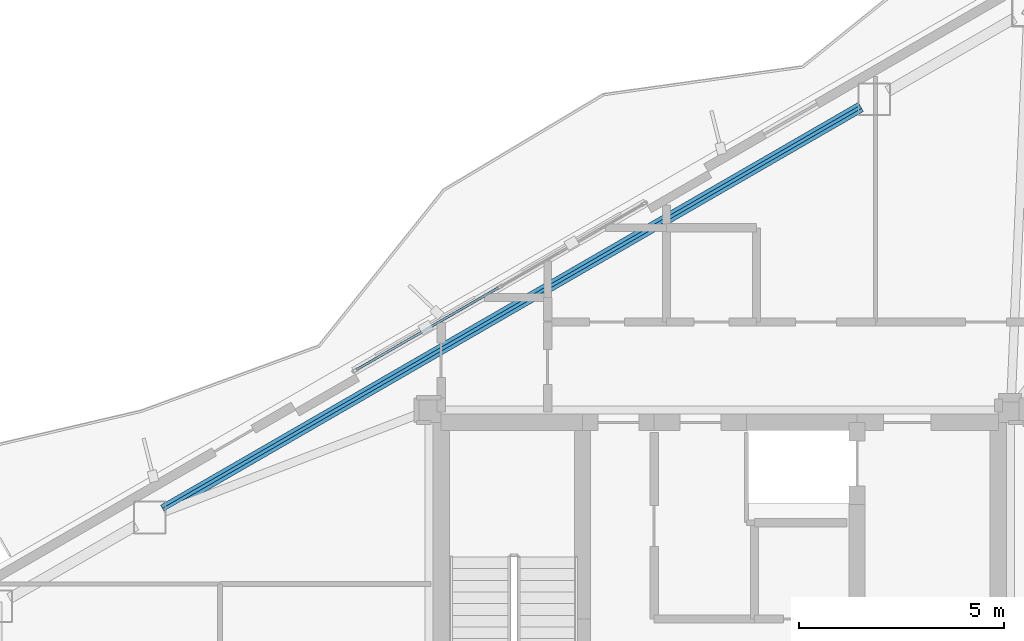
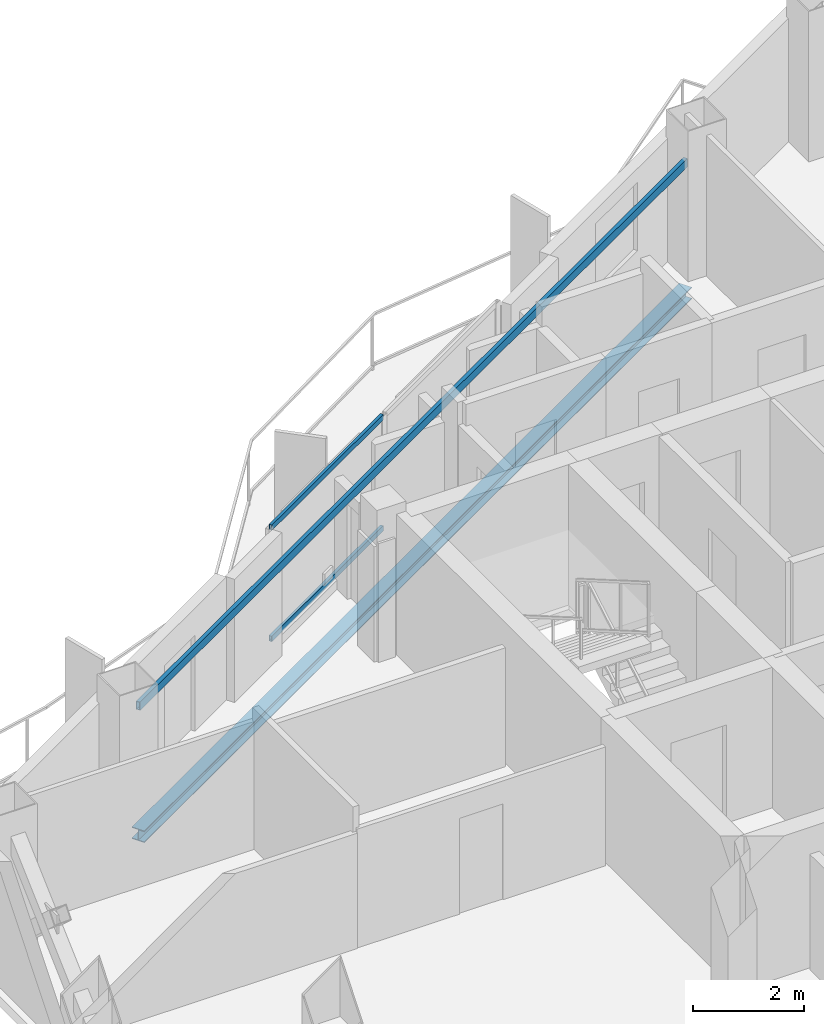
# One storey, part 9 of 18: 2 beams, 2 members, 1 element without a shape of its own.
"""IFC4 building model written with IfcOpenShell, lengths in metres."""

from ifc_helpers import new_model, si_unit, direction, frame, origin, origin_2d, place, context, subcontext, project, spatial, hollow_rectangle, i_section, extrude, material, layer, layer_set, material_profile, profile_set, type_object, element, aggregate, save


model = new_model("IFC4")

# Units and contexts
model_context = context("Model", 3, precision=1e-05, world=origin(), true_north=direction((0.0, 1.0)))
body_context = subcontext(model_context, "Body", "Model", "MODEL_VIEW")
ifc_project = project(units=[si_unit("LENGTHUNIT", "METRE"), si_unit("AREAUNIT", "SQUARE_METRE"), si_unit("VOLUMEUNIT", "CUBIC_METRE"), si_unit("PLANEANGLEUNIT", "RADIAN"), si_unit("MASSUNIT", "GRAM", prefix="KILO")], contexts=[model_context])

# Site, building, storey
site_placement = place(None, origin())
site = spatial("IfcSite", under=ifc_project, at=site_placement, CompositionType="ELEMENT")
building_placement = place(site_placement, origin())
building = spatial("IfcBuilding", under=site, at=building_placement, Name="Mersakhor Tower and Convention Hall", CompositionType="ELEMENT")
storey_placement = place(building_placement, frame((0.0, 0.0, 236.39990234375)))
storey = spatial("IfcBuildingStorey", under=building, at=storey_placement, Name="L66", CompositionType="ELEMENT", Elevation=236.39990234375)

# Beams
ifc_material_1 = material(Name="Steel S355", Category="steel")
ifc_material_profile_1 = material_profile(ifc_material_1, hollow_rectangle(XDim=0.080078125, YDim=0.179931640625, WallThickness=0.008056640625, at=origin_2d()), Name="RHS 180x80x8")
ifc_profile_set_1 = profile_set([ifc_material_profile_1], Name="Steel S355")
beam_type_1 = type_object("IfcBeamType", Name="BM-GRT-RHS180", PredefinedType="USERDEFINED", material=ifc_profile_set_1)
beam_1_placement = place(storey_placement, frame((15.414794921875, 30.618408203125, 2.47998046875), z_axis=(0.866021610626, 0.500006569886, 0.0), x_axis=(-0.500006569886, 0.866021610626, 0.0)))
element("IfcBeam", 1, at=beam_1_placement, inside=storey, type_object=beam_type_1, Name="L66 Facade Support Girt GRT-F1", ObjectType="GIRT", PredefinedType="USERDEFINED", context=body_context, shape_type="SweptSolid", body=[
    extrude(hollow_rectangle(XDim=0.080078125, YDim=0.179931640625, WallThickness=0.008056640625, at=origin_2d()), origin(), (0.0, 0.0, 1.0), 19.661865234375),
])
ifc_material_2 = material(Name="Steel S355", Category="steel")
ifc_material_profile_2 = material_profile(ifc_material_2, i_section(OverallWidth=0.25634765625, OverallDepth=0.26025390625, WebThickness=0.01025390625, FlangeThickness=0.017333984375, at=origin_2d()), Name="UC 254x254x89")
ifc_profile_set_2 = profile_set([ifc_material_profile_2], Name="Steel S355")
beam_type_2 = type_object("IfcBeamType", Name="BM-SPD-UC254", PredefinedType="SPANDREL", material=ifc_profile_set_2)
beam_2_placement = place(storey_placement, frame((15.414794921875, 30.618408203125, -0.35009765625), z_axis=(0.866021610626, 0.500006569886, 0.0), x_axis=(-0.500006569886, 0.866021610626, 0.0)))
element("IfcBeam", 2, at=beam_2_placement, inside=storey, type_object=beam_type_2, Name="L66 Perimeter Spandrel Beam SPB-02", PredefinedType="SPANDREL", context=body_context, shape_type="SweptSolid", body=[
    extrude(i_section(OverallWidth=0.25634765625, OverallDepth=0.26025390625, WebThickness=0.01025390625, FlangeThickness=0.017333984375, at=origin_2d()), origin(), (0.0, 0.0, 1.0), 19.661865234375),
])

# Curtain wall, members
ifc_material_3 = material(Name="Dark solar low-E aluminium curtain wall", Category="aluminium")
ifc_layer = layer(ifc_material_3, 0.179931640625)
ifc_layer_set = layer_set([ifc_layer], Name="Dark solar low-E aluminium curtain wall")
curtain_wall_type = type_object("IfcCurtainWallType", Name="CW-SYS-03", PredefinedType="USERDEFINED", material=ifc_layer_set)
curtain_wall_placement = place(storey_placement, origin())
curtain_wall = element("IfcCurtainWall", 3, at=curtain_wall_placement, inside=storey, type_object=curtain_wall_type, Name="L66 Dark-Glass Curtain Wall F1-B2", ObjectType="CURTAIN WALL", PredefinedType="USERDEFINED")
ifc_material_4 = material(Name="Anodised aluminium EN AW-6063 T6", Category="aluminium")
ifc_material_profile_3 = material_profile(ifc_material_4, hollow_rectangle(XDim=0.06005859375, YDim=0.1201171875, WallThickness=0.0048828125, at=origin_2d()), Name="RHS 120x60x5")
ifc_profile_set_3 = profile_set([ifc_material_profile_3], Name="Anodised aluminium EN AW-6063 T6")
member_type = type_object("IfcMemberType", Name="CWT-120x60", PredefinedType="USERDEFINED", material=ifc_profile_set_3)
member_1_placement = place(storey_placement, frame((20.130859375, 34.0341796875, 0.22998046875), z_axis=(0.866023018642, 0.500004131166, 0.0), x_axis=(-0.500004131166, 0.866023018642, 0.0)))
member_1 = element("IfcMember", 4, at=member_1_placement, type_object=member_type, Name="CW-03 transom 1.1", ObjectType="TRANSOM", PredefinedType="USERDEFINED", context=body_context, shape_type="SweptSolid", body=[
    extrude(hollow_rectangle(XDim=0.06005859375, YDim=0.1201171875, WallThickness=0.0048828125, at=origin_2d()), origin(), (0.0, 0.0, 1.0), 4.00146484375),
])
member_2_placement = place(storey_placement, frame((20.130859375, 34.0341796875, 2.670166015625), z_axis=(0.866023018642, 0.500004131166, 0.0), x_axis=(-0.500004131166, 0.866023018642, 0.0)))
member_2 = element("IfcMember", 5, at=member_2_placement, type_object=member_type, Name="CW-03 transom 1.2", ObjectType="TRANSOM", PredefinedType="USERDEFINED", context=body_context, shape_type="SweptSolid", body=[
    extrude(hollow_rectangle(XDim=0.06005859375, YDim=0.1201171875, WallThickness=0.0048828125, at=origin_2d()), origin(), (0.0, 0.0, 1.0), 4.00146484375),
])
aggregate(curtain_wall, [member_1, member_2])

save(model, "model.ifc")
